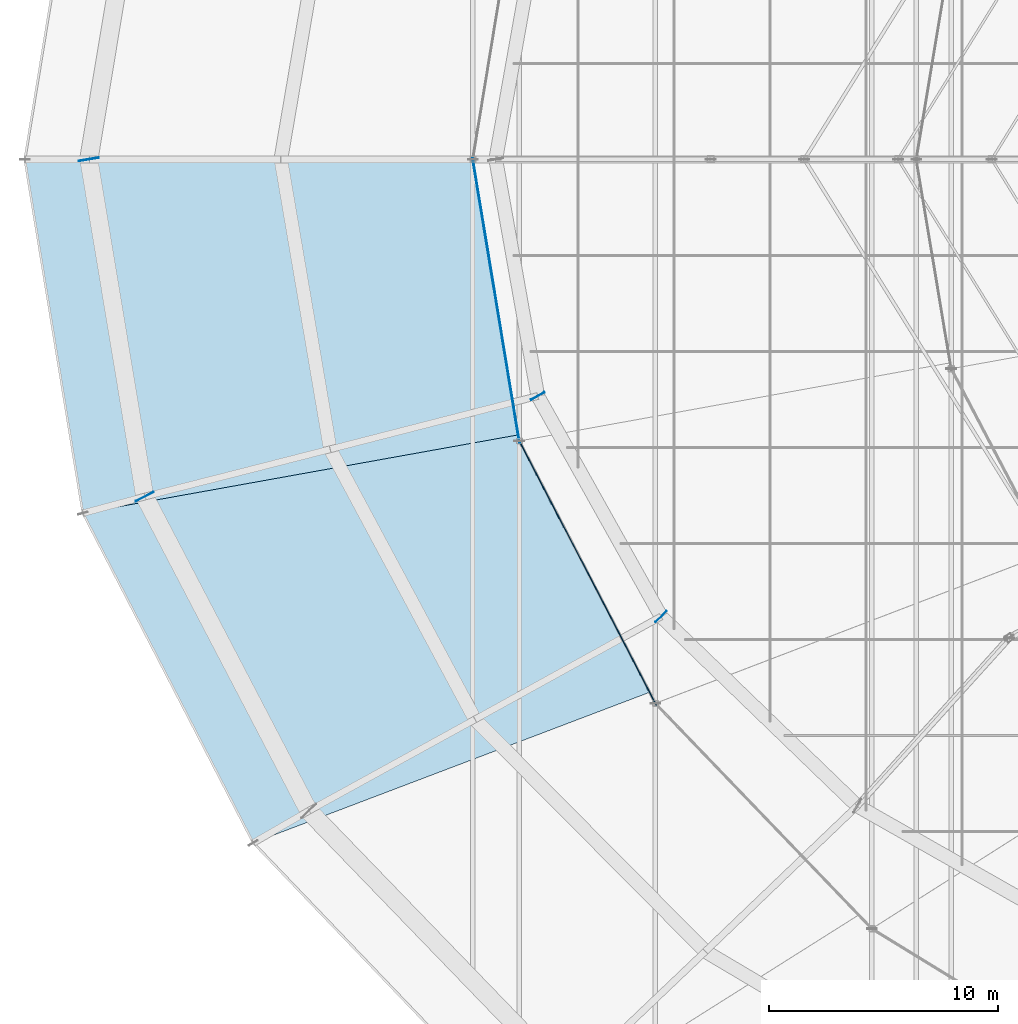
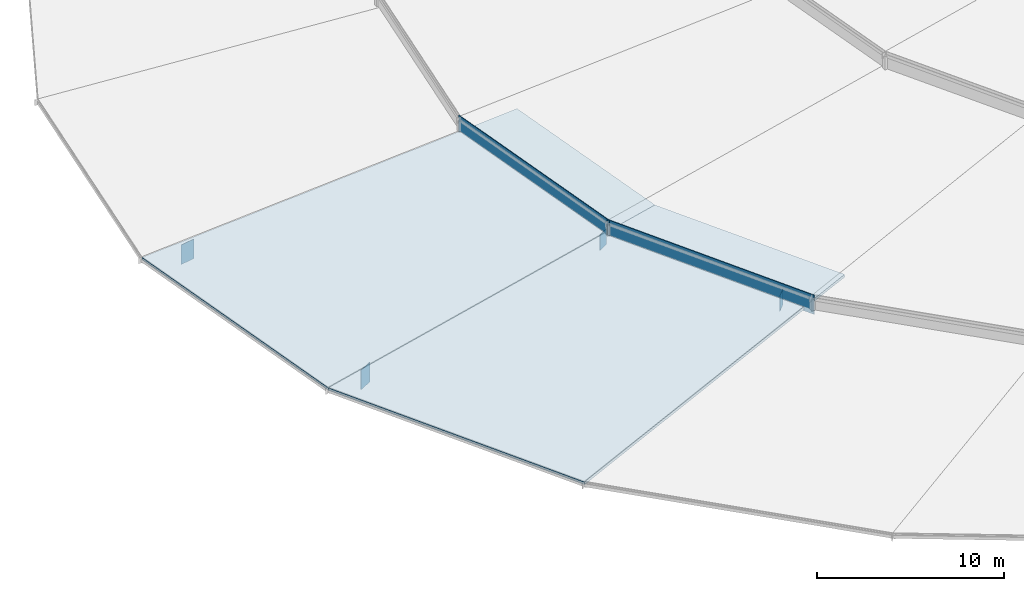
# One storey, part 138 of 184: 6 plates, 2 slabs.
"""IFC4 building model written with IfcOpenShell, lengths in metres."""

from ifc_helpers import new_model, si_unit, direction, frame, origin, origin_2d, place, context, subcontext, project, spatial, polyline, rectangle, outline, extrude, material, layer, layer_set, type_object, element, save


model = new_model("IFC4")

# Units and contexts
model_context = context("Model", 3, precision=1e-05, world=origin(), true_north=direction((0.0, 1.0)))
body_context = subcontext(model_context, "Body", "Model", "MODEL_VIEW")
ifc_project = project(units=[si_unit("LENGTHUNIT", "METRE"), si_unit("AREAUNIT", "SQUARE_METRE"), si_unit("VOLUMEUNIT", "CUBIC_METRE"), si_unit("PLANEANGLEUNIT", "RADIAN"), si_unit("MASSUNIT", "GRAM", prefix="KILO")], contexts=[model_context])

# Site, building, storey
site_placement = place(None, origin())
site = spatial("IfcSite", under=ifc_project, at=site_placement, CompositionType="ELEMENT")
building_placement = place(site_placement, origin())
building = spatial("IfcBuilding", under=site, at=building_placement, Name="Kalgoora Escarpment Arena", CompositionType="ELEMENT")
storey_placement = place(building_placement, frame((0.0, 0.0, 27.60009765625)))
storey = spatial("IfcBuildingStorey", under=building, at=storey_placement, Name="Roof Level", CompositionType="ELEMENT", Elevation=27.60009765625)

# Plates
ifc_material_1 = material(Name="Low-E double-glazed petal clerestory glass", Category="glass")
ifc_layer_1 = layer(ifc_material_1, 0.035888671875)
ifc_layer_set_1 = layer_set([ifc_layer_1], Name="PLT-PETAL-CLERESTORY")
plate_type_1 = type_object("IfcPlateType", Name="PLT-PETAL-CLERESTORY", PredefinedType="USERDEFINED", material=ifc_layer_set_1)
plate_1_placement = place(storey_placement, frame((38.415283203125, 57.840087890625, 0.260009765625), z_axis=(0.0, 0.0, 1.0), x_axis=(0.162637165195, -0.986685944208, 0.0)))
element("IfcPlate", 1, at=plate_1_placement, inside=storey, type_object=plate_type_1, Name="Petal RP2 glazed clerestory collar panel S13", ObjectType="CLERESTORY PANEL", PredefinedType="USERDEFINED", context=body_context, shape_type="SweptSolid", body=[
    extrude(rectangle(XDim=12.67333984375, YDim=0.0400390625, at=origin_2d()), origin(), (0.0, 0.0, 1.0), 1.25),
])
plate_2_placement = place(storey_placement, frame((42.40771484375, 45.940185546875, 0.260009765625), z_axis=(0.0, 0.0, 1.0), x_axis=(0.46035473079, -0.8877350516, 0.0)))
element("IfcPlate", 2, at=plate_2_placement, inside=storey, type_object=plate_type_1, Name="Petal RP2 glazed clerestory collar panel S14", ObjectType="CLERESTORY PANEL", PredefinedType="USERDEFINED", context=body_context, shape_type="SweptSolid", body=[
    extrude(rectangle(XDim=13.12646484375, YDim=0.0400390625, at=origin_2d()), origin(), (0.0, 0.0, 1.0), 1.25),
])
ifc_material_2 = material(Name="Structural steel Grade 350 (350 MPa)", Category="steel")
ifc_layer_2 = layer(ifc_material_2, 0.031982421875)
ifc_layer_set_2 = layer_set([ifc_layer_2], Name="PLT-RING-DIAPH")
plate_type_2 = type_object("IfcPlateType", Name="PLT-RING-DIAPH", PredefinedType="USERDEFINED", material=ifc_layer_set_2)
for number, where, z_axis, x_axis, name in (
    (3, (20.60009765625, 64.0, -2.09033203125), (0.0, 0.0, 1.0), (0.163670330935, -0.986515089987, 0.0), "Compression ring node diaphragm plate 13"),
    (4, (23.04638671875, 49.247314453125, -2.09033203125), (0.0, 0.0, 1.0), (0.462522500293, -0.8866075438, 0.0), "Compression ring node diaphragm plate 14"),
):
    element("IfcPlate", number, at=place(storey_placement, frame(where, z_axis=z_axis, x_axis=x_axis)), inside=storey, type_object=plate_type_2, Name=name, ObjectType="FLANGE PLATE", PredefinedType="USERDEFINED", context=body_context, shape_type="SweptSolid", body=[
        extrude(rectangle(XDim=0.031982421875, YDim=0.8798828125, at=origin_2d()), origin(), (0.0, 0.0, 1.0), 1.280029296875),
    ])
for number, where, z_axis, x_axis, name in (
    (5, (40.239990234375, 53.647216796875, -1.760009765625), (0.0, 0.0, 1.0), (0.488012005351, -0.872836916401, 0.0), "Inner ring node diaphragm plate 14"),
    (6, (45.634521484375, 44.0, -1.760009765625), (0.0, 0.0, 1.0), (0.719461030139, -0.6945328114, 0.0), "Inner ring node diaphragm plate 15"),
):
    element("IfcPlate", number, at=place(storey_placement, frame(where, z_axis=z_axis, x_axis=x_axis)), inside=storey, type_object=plate_type_2, Name=name, ObjectType="FLANGE PLATE", PredefinedType="USERDEFINED", context=body_context, shape_type="SweptSolid", body=[
        extrude(rectangle(XDim=0.031982421875, YDim=0.679931640625, at=origin_2d()), origin(), (0.0, 0.0, 1.0), 1.02001953125),
    ])

# Slabs
ifc_material_3 = material(Name="White acoustic composite Concrete N40 (fc' 40 MPa)", Category="concrete")
ifc_layer_3 = layer(ifc_material_3, 0.179931640625)
ifc_layer_set_3 = layer_set([ifc_layer_3], Name="SLB-PETAL-RP1")
slab_type = type_object("IfcSlabType", Name="SLB-PETAL-RP1", PredefinedType="ROOF", material=ifc_layer_set_3)
slab_1_placement = place(storey_placement, frame((17.800048828125, 64.0, -0.840087890625), z_axis=(-0.069065551931, -0.011347288154, 0.99754758713), x_axis=(0.162053928253, -0.986781903114, -4.966783e-06)))
element("IfcSlab", 7, at=slab_1_placement, inside=storey, type_object=slab_type, Name="Shifted white roof petal RP1 sector 13", PredefinedType="ROOF", context=body_context, shape_type="SweptSolid", body=[
    extrude(outline(polyline([(0.0, 0.0), (15.684614793688493, -4.440892098500626e-16), (15.33943085590903, 22.869375713762302), (3.745036178778434, 22.86046363049415), (0.0, 0.0)])), origin(), (0.0, 0.0, -1.0), 0.179931640625),
])
slab_2_placement = place(storey_placement, frame((20.341796875, 48.522705078125, -0.840087890625), z_axis=(-0.065023264945, -0.033599341799, 0.997317932881), x_axis=(0.459066523162, -0.888401895153, 2.85999e-07)))
element("IfcSlab", 8, at=slab_2_placement, inside=storey, type_object=slab_type, Name="Shifted white roof petal RP1 sector 14", PredefinedType="ROOF", context=body_context, shape_type="SweptSolid", body=[
    extrude(outline(polyline([(0.0, 0.0), (16.234327793510975, 0.0), (18.733202612362, 21.885184668863396), (6.721701920479481, 21.861945429275856), (0.0, 0.0)])), origin(), (0.0, 0.0, -1.0), 0.179931640625),
])

save(model, "model.ifc")
